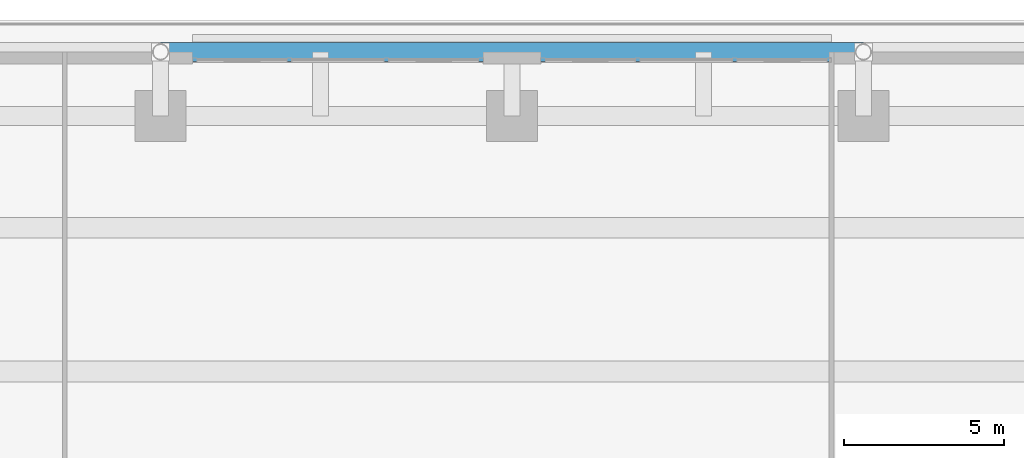
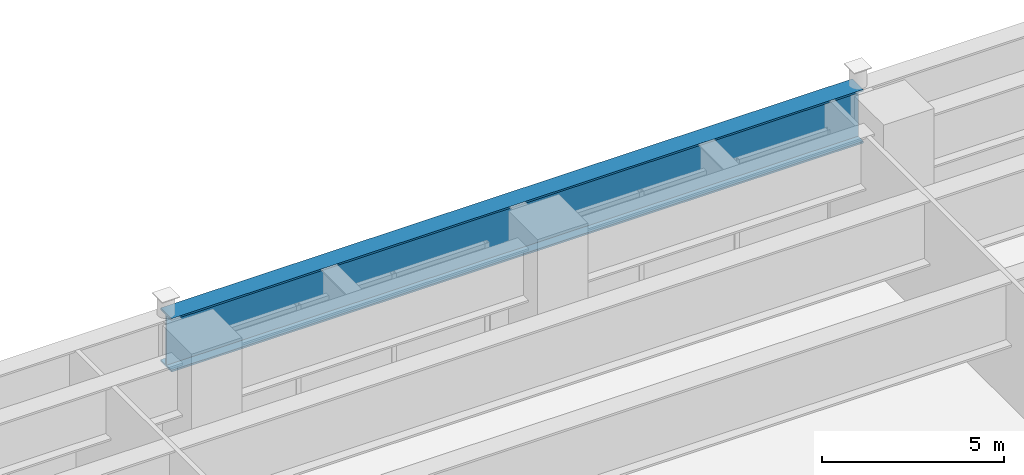
# One storey, part 18 of 35: 1 beam.
"""IFC4 building model written with IfcOpenShell, lengths in metres."""

from ifc_helpers import new_model, si_unit, direction, frame, origin, origin_2d, place, context, subcontext, project, spatial, i_section, extrude, source, transform, mapped, material, material_profile, profile_set, type_object, element, save


model = new_model("IFC4")

# Units and contexts
model_context = context("Model", 3, precision=1e-05, world=origin(), true_north=direction((0.0, 1.0)))
body_context = subcontext(model_context, "Body", "Model", "MODEL_VIEW")
ifc_project = project(units=[si_unit("LENGTHUNIT", "METRE"), si_unit("AREAUNIT", "SQUARE_METRE"), si_unit("VOLUMEUNIT", "CUBIC_METRE"), si_unit("PLANEANGLEUNIT", "RADIAN"), si_unit("MASSUNIT", "GRAM", prefix="KILO")], contexts=[model_context])

# Site, building, storey
site_placement = place(None, origin())
site = spatial("IfcSite", under=ifc_project, at=site_placement, CompositionType="ELEMENT")
building_placement = place(site_placement, origin())
building = spatial("IfcBuilding", under=site, at=building_placement, Name="Khorayat Bourse Tower", CompositionType="ELEMENT")
storey_placement = place(building_placement, frame((0.0, 0.0, 22.199951171875)))
storey = spatial("IfcBuildingStorey", under=building, at=storey_placement, Name="L04", CompositionType="ELEMENT", Elevation=22.199951171875)

# Beam
ifc_material = material(Name="Steel EN 10025-4 S460M", Category="steel")
ifc_material_profile = material_profile(ifc_material, i_section(OverallWidth=0.60009765625, OverallDepth=1.800048828125, WebThickness=0.031982421875, FlangeThickness=0.06005859375, at=origin_2d()), Name="PG 1800x600x32x60")
ifc_profile_set = profile_set([ifc_material_profile], Name="Steel EN 10025-4 S460M")
beam_type = type_object("IfcBeamType", Name="BM-TR-1800", PredefinedType="BEAM", material=ifc_profile_set)
shared_shape = source(origin(), body_context, "Body", "SweptSolid", [
    extrude(i_section(OverallWidth=0.60009765625, OverallDepth=1.800048828125, WebThickness=0.031982421875, FlangeThickness=0.06005859375, at=origin_2d()), origin(), (0.0, 0.0, 1.0), 22.0),
])
beam_placement = place(storey_placement, frame((-11.0, 34.0, 3.300048828125), z_axis=(1.0, 0.0, 0.0), x_axis=(0.0, 1.0, 0.0)))
element("IfcBeam", 1, at=beam_placement, inside=storey, type_object=beam_type, Name="L04 BM-TR-1800 BM-L04-PGX-094", PredefinedType="BEAM", context=body_context, shape_type="MappedRepresentation", body=[
    mapped(shared_shape, transform((0.0, 0.0, 0.0), scale=1.0)),
])

save(model, "model.ifc")
